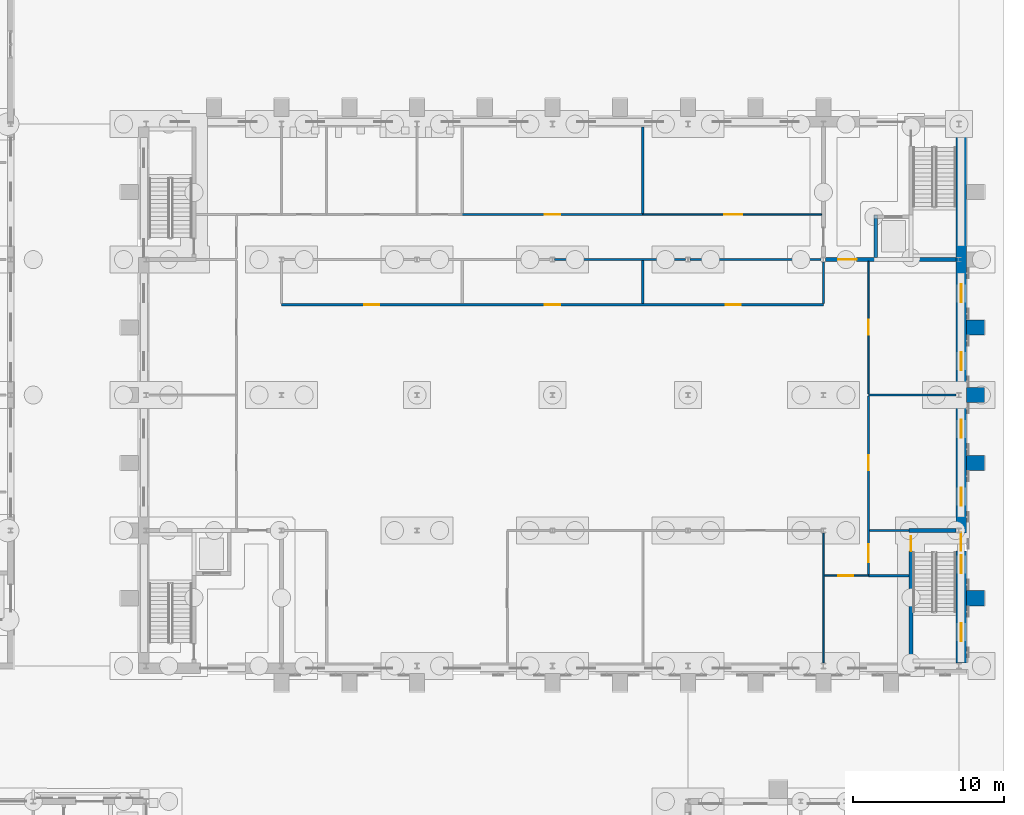
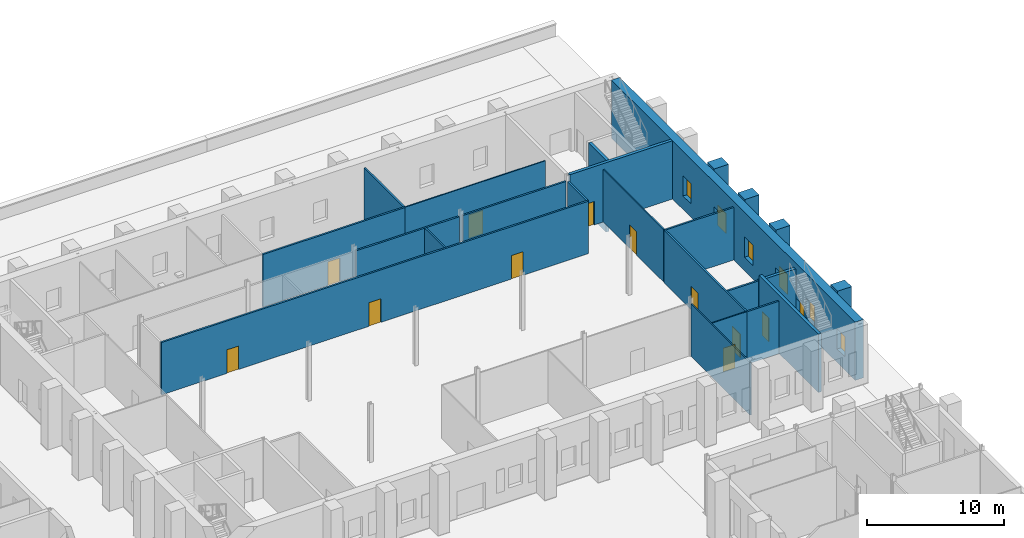
# One storey, part 106 of 168: 25 walls, 12 doors, 6 windows, 18 openings.
"""IFC4 building model written with IfcOpenShell, lengths in metres."""

from ifc_helpers import new_model, si_unit, direction, frame, frame_2d, origin, place, context, subcontext, project, spatial, rectangle, extrude, material, layer, layer_set, type_object, element, fill, save


model = new_model("IFC4")

# Units and contexts
model_context = context("Model", 3, precision=1e-05, world=origin(), true_north=direction((0.0, 1.0)))
body_context = subcontext(model_context, "Body", "Model", "MODEL_VIEW")
ifc_project = project(units=[si_unit("LENGTHUNIT", "METRE"), si_unit("AREAUNIT", "SQUARE_METRE"), si_unit("VOLUMEUNIT", "CUBIC_METRE"), si_unit("PLANEANGLEUNIT", "RADIAN"), si_unit("MASSUNIT", "GRAM", prefix="KILO")], contexts=[model_context])

# Site, building, storey
site_placement = place(None, origin())
site = spatial("IfcSite", under=ifc_project, at=site_placement, CompositionType="ELEMENT")
building_placement = place(site_placement, origin())
building = spatial("IfcBuilding", under=site, at=building_placement, Name="Golden Quay Civic Hall", CompositionType="ELEMENT")
storey_placement = place(building_placement, origin())
storey = spatial("IfcBuildingStorey", under=building, at=storey_placement, Name="L00", CompositionType="ELEMENT", Elevation=0.0)

# Wall, opening, door
ifc_material_1 = material(Name="Concrete C40/50", Category="concrete")
ifc_layer_1 = layer(ifc_material_1, 0.25)
ifc_layer_set_1 = layer_set([ifc_layer_1], Name="Concrete core wall 250, Concrete C40/50")
wall_type_1 = type_object("IfcWallType", Name="Concrete core wall 250", PredefinedType="SHEAR", material=ifc_layer_set_1)
wall_1_placement = place(storey_placement, frame((170.800048828125, 90.0, 0.0), z_axis=(0.0, 0.0, 1.0), x_axis=(-1.0, 0.0, 0.0)))
wall_1 = element("IfcWall", 1, at=wall_1_placement, inside=storey, type_object=wall_type_1, Name="L00 core wall E north boundary", PredefinedType="SHEAR", context=body_context, shape_type="SweptSolid", body=[
    extrude(rectangle(XDim=8.650146484375, YDim=0.25, at=frame_2d((4.3251953125, 0.0))), origin(), (0.0, 0.0, 1.0), 5.199951171875),
])
opening_1_placement = place(wall_1_placement, frame((6.60009765625, 0.0, 0.0)))
opening_1 = element("IfcOpeningElement", 2, at=opening_1_placement, cuts=wall_1, Name="Opening L00-D225", PredefinedType="OPENING", context=body_context, shape_type="SweptSolid", body=[
    extrude(rectangle(XDim=1.199951171875, YDim=2.10009765625, at=frame_2d((0.60009765625, 1.050048828125))), frame((0.0, 0.135009765625, 0.0), z_axis=(0.0, -1.0, 0.0), x_axis=(1.0, 0.0, 0.0)), (0.0, 0.0, 1.0), 0.27001953125),
])
ifc_material_2 = material(Name="Steel", Category="steel")
door_type_1 = type_object("IfcDoorType", Name="Steel fire door FD60 1200 x 2100", OperationType="SINGLE_SWING_LEFT", PredefinedType="DOOR", material=ifc_material_2)
door_1_placement = place(opening_1_placement, origin())
door_1 = element("IfcDoor", 3, at=door_1_placement, inside=storey, type_object=door_type_1, Name="Lobby door LB-E", OperationType="SINGLE_SWING_LEFT", OverallHeight=2.10009765625, OverallWidth=1.199951171875, PredefinedType="DOOR", context=body_context, shape_type="SweptSolid", body=[
    extrude(rectangle(XDim=1.199951171875, YDim=2.10009765625, at=frame_2d((0.60009765625, 1.050048828125))), frame((0.0, 0.02490234375, 0.0), z_axis=(0.0, -1.0, 0.0), x_axis=(1.0, 0.0, 0.0)), (0.0, 0.0, 1.0), 0.050048828125),
])
fill(opening_1, door_1)

# Walls
wall_2_placement = place(storey_placement, frame((165.47509765625, 92.72509765625, 0.0), z_axis=(0.0, 0.0, 1.0), x_axis=(0.0, -1.0, 0.0)))
element("IfcWall", 4, at=wall_2_placement, inside=storey, type_object=wall_type_1, Name="L00 core wall E lift east", PredefinedType="SHEAR", context=body_context, shape_type="SweptSolid", body=[
    extrude(rectangle(XDim=2.60009765625, YDim=0.25, at=frame_2d((1.300048828125, 0.0))), origin(), (0.0, 0.0, 1.0), 5.199951171875),
])
wall_3_placement = place(storey_placement, frame((165.47509765625, 92.97509765625, -1.199951171875), z_axis=(0.0, 0.0, 1.0), x_axis=(0.0, -1.0, 0.0)))
element("IfcWall", 5, at=wall_3_placement, inside=storey, type_object=wall_type_1, Name="L00 lift pit wall E east", PredefinedType="SHEAR", context=body_context, shape_type="SweptSolid", body=[
    extrude(rectangle(XDim=2.85009765625, YDim=0.25, at=frame_2d((1.425048828125, 0.0))), origin(), (0.0, 0.0, 1.0), 1.199951171875),
])

# Wall, opening, door
wall_4_placement = place(storey_placement, frame((167.824951171875, 71.875, 0.0), z_axis=(0.0, 0.0, 1.0), x_axis=(0.0, -1.0, 0.0)))
wall_4 = element("IfcWall", 6, at=wall_4_placement, inside=storey, type_object=wall_type_1, Name="L00 core wall S stair east", PredefinedType="SHEAR", context=body_context, shape_type="SweptSolid", body=[
    extrude(rectangle(XDim=8.675048828125, YDim=0.25, at=frame_2d((4.33740234375, 0.0))), origin(), (0.0, 0.0, 1.0), 5.199951171875),
])
opening_2_placement = place(wall_4_placement, frame((0.25, 0.0, 0.0)))
opening_2 = element("IfcOpeningElement", 7, at=opening_2_placement, cuts=wall_4, Name="Opening L00-D228", PredefinedType="OPENING", context=body_context, shape_type="SweptSolid", body=[
    extrude(rectangle(XDim=1.0, YDim=2.10009765625, at=frame_2d((0.5, 1.050048828125))), frame((0.0, 0.135009765625, 0.0), z_axis=(0.0, -1.0, 0.0), x_axis=(1.0, 0.0, 0.0)), (0.0, 0.0, 1.0), 0.27001953125),
])
ifc_material_3 = material(Name="Steel", Category="steel")
door_type_2 = type_object("IfcDoorType", Name="Steel fire door FD60 1000 x 2100", OperationType="SINGLE_SWING_LEFT", PredefinedType="DOOR", material=ifc_material_3)
door_2_placement = place(opening_2_placement, frame((1.0, 0.0, 0.0), z_axis=(0.0, 0.0, 1.0), x_axis=(-1.0, 0.0, 0.0)))
door_2 = element("IfcDoor", 8, at=door_2_placement, inside=storey, type_object=door_type_2, Name="Stair door LB-S", OperationType="SINGLE_SWING_RIGHT", OverallHeight=2.10009765625, OverallWidth=1.0, PredefinedType="DOOR", context=body_context, shape_type="SweptSolid", body=[
    extrude(rectangle(XDim=1.0, YDim=2.10009765625, at=frame_2d((0.5, 1.050048828125))), frame((0.0, 0.025146484375, 0.0), z_axis=(0.0, -1.0, 0.0), x_axis=(1.0, 0.0, 0.0)), (0.0, 0.0, 1.0), 0.050048828125),
])
fill(opening_2, door_2)

# Wall
wall_5_placement = place(storey_placement, frame((170.800048828125, 72.0, 0.0), z_axis=(0.0, 0.0, 1.0), x_axis=(-1.0, 0.0, 0.0)))
element("IfcWall", 9, at=wall_5_placement, inside=storey, type_object=wall_type_1, Name="L00 core wall S stair south", PredefinedType="SHEAR", context=body_context, shape_type="SweptSolid", body=[
    extrude(rectangle(XDim=3.10009765625, YDim=0.25, at=frame_2d((1.550048828125, 0.0))), origin(), (0.0, 0.0, 1.0), 4.699951171875),
])

# Wall, opening, door
ifc_material_4 = material(Name="Plasterboard on steel studs", Category="steel")
ifc_layer_2 = layer(ifc_material_4, 0.10009765625)
ifc_layer_set_2 = layer_set([ifc_layer_2], Name="Partition 100 stud")
wall_type_2 = type_object("IfcWallType", Name="Partition 100 stud", PredefinedType="PARTITIONING", material=ifc_layer_set_2)
wall_6_placement = place(storey_placement, frame((162.050048828125, 69.0, 0.0), z_axis=(0.0, 0.0, 1.0), x_axis=(1.0, 0.0, 0.0)))
wall_6 = element("IfcWall", 10, at=wall_6_placement, inside=storey, type_object=wall_type_2, Name="L00 partition H6-45.05", PredefinedType="PARTITIONING", context=body_context, shape_type="SweptSolid", body=[
    extrude(rectangle(XDim=2.949951171875, YDim=0.10009765625, at=frame_2d((1.47509765625, 0.0))), origin(), (0.0, 0.0, 1.0), 4.679931640625),
])
opening_3_placement = place(wall_6_placement, frame((0.949951171875, 0.0, 0.0)))
opening_3 = element("IfcOpeningElement", 11, at=opening_3_placement, cuts=wall_6, Name="Opening L00-D204", PredefinedType="OPENING", context=body_context, shape_type="SweptSolid", body=[
    extrude(rectangle(XDim=1.0, YDim=2.10009765625, at=frame_2d((0.5, 1.050048828125))), frame((0.0, 0.06005859375, 0.0), z_axis=(0.0, -1.0, 0.0), x_axis=(1.0, 0.0, 0.0)), (0.0, 0.0, 1.0), 0.1201171875),
])
ifc_material_5 = material(Name="Timber", Category="wood")
door_type_3 = type_object("IfcDoorType", Name="Timber door 1000 x 2100", OperationType="SINGLE_SWING_LEFT", PredefinedType="DOOR", material=ifc_material_5)
door_3_placement = place(opening_3_placement, frame((1.0, 0.0, 0.0), z_axis=(0.0, 0.0, 1.0), x_axis=(-1.0, 0.0, 0.0)))
door_3 = element("IfcDoor", 12, at=door_3_placement, inside=storey, type_object=door_type_3, Name="Library Office door", OperationType="SINGLE_SWING_RIGHT", OverallHeight=2.10009765625, OverallWidth=1.0, PredefinedType="DOOR", context=body_context, shape_type="SweptSolid", body=[
    extrude(rectangle(XDim=1.0, YDim=2.10009765625, at=frame_2d((0.5, 1.050048828125))), frame((0.0, 0.025146484375, 0.0), z_axis=(0.0, -1.0, 0.0), x_axis=(1.0, 0.0, 0.0)), (0.0, 0.0, 1.0), 0.050048828125),
])
fill(opening_3, door_3)

wall_7_placement = place(storey_placement, frame((150.0, 93.0, 0.0), z_axis=(0.0, 0.0, 1.0), x_axis=(1.0, 0.0, 0.0)))
wall_7 = element("IfcWall", 13, at=wall_7_placement, inside=storey, type_object=wall_type_2, Name="L00 partition H30-33.00", PredefinedType="PARTITIONING", context=body_context, shape_type="SweptSolid", body=[
    extrude(rectangle(XDim=11.875, YDim=0.10009765625, at=frame_2d((5.9375, 0.0))), origin(), (0.0, 0.0, 1.0), 4.679931640625),
])
opening_4_placement = place(wall_7_placement, frame((5.39990234375, 0.0, 0.0)))
opening_4 = element("IfcOpeningElement", 14, at=opening_4_placement, cuts=wall_7, Name="Opening L00-D219", PredefinedType="OPENING", context=body_context, shape_type="SweptSolid", body=[
    extrude(rectangle(XDim=1.199951171875, YDim=2.10009765625, at=frame_2d((0.60009765625, 1.050048828125))), frame((0.0, 0.06005859375, 0.0), z_axis=(0.0, -1.0, 0.0), x_axis=(1.0, 0.0, 0.0)), (0.0, 0.0, 1.0), 0.1201171875),
])
ifc_material_6 = material(Name="Timber", Category="wood")
door_type_4 = type_object("IfcDoorType", Name="Timber door 1200 x 2100", OperationType="SINGLE_SWING_LEFT", PredefinedType="DOOR", material=ifc_material_6)
door_4_placement = place(opening_4_placement, origin())
door_4 = element("IfcDoor", 15, at=door_4_placement, inside=storey, type_object=door_type_4, Name="Library Office door", OperationType="SINGLE_SWING_LEFT", OverallHeight=2.10009765625, OverallWidth=1.199951171875, PredefinedType="DOOR", context=body_context, shape_type="SweptSolid", body=[
    extrude(rectangle(XDim=1.199951171875, YDim=2.10009765625, at=frame_2d((0.60009765625, 1.050048828125))), frame((0.0, 0.02490234375, 0.0), z_axis=(0.0, -1.0, 0.0), x_axis=(1.0, 0.0, 0.0)), (0.0, 0.0, 1.0), 0.050048828125),
])
fill(opening_4, door_4)

# Wall
wall_8_placement = place(storey_placement, frame((162.0, 63.199951171875, 0.0), z_axis=(0.0, 0.0, 1.0), x_axis=(0.0, 1.0, 0.0)))
element("IfcWall", 16, at=wall_8_placement, inside=storey, type_object=wall_type_2, Name="L00 partition V45-0.20", PredefinedType="PARTITIONING", context=body_context, shape_type="SweptSolid", body=[
    extrude(rectangle(XDim=8.650146484375, YDim=0.10009765625, at=frame_2d((4.3251953125, 0.0))), origin(), (0.0, 0.0, 1.0), 4.679931640625),
])

# Wall, opening, door
wall_9_placement = place(storey_placement, frame((165.0, 81.074951171875, 0.0), z_axis=(0.0, 0.0, 1.0), x_axis=(0.0, 1.0, 0.0)))
wall_9 = element("IfcWall", 17, at=wall_9_placement, inside=storey, type_object=wall_type_2, Name="L00 partition V48-18.07", PredefinedType="PARTITIONING", context=body_context, shape_type="SweptSolid", body=[
    extrude(rectangle(XDim=8.800048828125, YDim=0.10009765625, at=frame_2d((4.39990234375, 0.0))), origin(), (0.0, 0.0, 1.0), 4.679931640625),
])
opening_5_placement = place(wall_9_placement, frame((3.925048828125, 0.0, 0.0)))
opening_5 = element("IfcOpeningElement", 18, at=opening_5_placement, cuts=wall_9, Name="Opening L00-D212", PredefinedType="OPENING", context=body_context, shape_type="SweptSolid", body=[
    extrude(rectangle(XDim=1.0, YDim=2.10009765625, at=frame_2d((0.5, 1.050048828125))), frame((0.0, 0.06005859375, 0.0), z_axis=(0.0, -1.0, 0.0), x_axis=(1.0, 0.0, 0.0)), (0.0, 0.0, 1.0), 0.1201171875),
])
door_5_placement = place(opening_5_placement, frame((1.0, 0.0, 0.0), z_axis=(0.0, 0.0, 1.0), x_axis=(-1.0, 0.0, 0.0)))
door_5 = element("IfcDoor", 19, at=door_5_placement, inside=storey, type_object=door_type_3, Name="Staff Room door", OperationType="SINGLE_SWING_RIGHT", OverallHeight=2.10009765625, OverallWidth=1.0, PredefinedType="DOOR", context=body_context, shape_type="SweptSolid", body=[
    extrude(rectangle(XDim=1.0, YDim=2.10009765625, at=frame_2d((0.5, 1.050048828125))), frame((0.0, 0.025146484375, 0.0), z_axis=(0.0, -1.0, 0.0), x_axis=(1.0, 0.0, 0.0)), (0.0, 0.0, 1.0), 0.050048828125),
])
fill(opening_5, door_5)

# Walls
ifc_material_7 = material(Name="Plasterboard on steel studs", Category="steel")
ifc_layer_3 = layer(ifc_material_7, 0.14990234375)
ifc_layer_set_3 = layer_set([ifc_layer_3], Name="Partition 150 stud fire EI 60")
wall_type_3 = type_object("IfcWallType", Name="Partition 150 stud fire EI 60", PredefinedType="PARTITIONING", material=ifc_layer_set_3)
wall_10_placement = place(storey_placement, frame((165.0, 69.0, 0.0), z_axis=(0.0, 0.0, 1.0), x_axis=(1.0, 0.0, 0.0)))
element("IfcWall", 20, at=wall_10_placement, inside=storey, type_object=wall_type_3, Name="L00 partition H6-48.00", PredefinedType="PARTITIONING", context=body_context, shape_type="SweptSolid", body=[
    extrude(rectangle(XDim=2.699951171875, YDim=0.14990234375, at=frame_2d((1.35009765625, 0.0))), origin(), (0.0, 0.0, 1.0), 4.679931640625),
])
wall_11_placement = place(storey_placement, frame((165.074951171875, 72.0, 0.0), z_axis=(0.0, 0.0, 1.0), x_axis=(1.0, 0.0, 0.0)))
element("IfcWall", 21, at=wall_11_placement, inside=storey, type_object=wall_type_3, Name="L00 partition H9-48.08", PredefinedType="PARTITIONING", context=body_context, shape_type="SweptSolid", body=[
    extrude(rectangle(XDim=2.625, YDim=0.14990234375, at=frame_2d((1.3125, 0.0))), origin(), (0.0, 0.0, 1.0), 4.679931640625),
])
wall_12_placement = place(storey_placement, frame((165.0, 81.0, 0.0), z_axis=(0.0, 0.0, 1.0), x_axis=(1.0, 0.0, 0.0)))
element("IfcWall", 22, at=wall_12_placement, inside=storey, type_object=wall_type_3, Name="L00 partition H18-48.00", PredefinedType="PARTITIONING", context=body_context, shape_type="SweptSolid", body=[
    extrude(rectangle(XDim=5.800048828125, YDim=0.14990234375, at=frame_2d((2.89990234375, 0.0))), origin(), (0.0, 0.0, 1.0), 4.679931640625),
])

# Wall, openings, doors
wall_13_placement = place(storey_placement, frame((126.0, 87.0, 0.0), z_axis=(0.0, 0.0, 1.0), x_axis=(1.0, 0.0, 0.0)))
wall_13 = element("IfcWall", 23, at=wall_13_placement, inside=storey, type_object=wall_type_3, Name="L00 partition H24-9.00", PredefinedType="PARTITIONING", context=body_context, shape_type="SweptSolid", body=[
    extrude(rectangle(XDim=36.0, YDim=0.14990234375, at=frame_2d((18.0, 0.0))), origin(), (0.0, 0.0, 1.0), 4.679931640625),
])
opening_6_placement = place(wall_13_placement, frame((5.5, 0.0, 0.0)))
opening_6 = element("IfcOpeningElement", 24, at=opening_6_placement, cuts=wall_13, Name="Opening L00-D206", PredefinedType="OPENING", context=body_context, shape_type="SweptSolid", body=[
    extrude(rectangle(XDim=1.0, YDim=2.10009765625, at=frame_2d((0.5, 1.050048828125))), frame((0.0, 0.0849609375, 0.0), z_axis=(0.0, -1.0, 0.0), x_axis=(1.0, 0.0, 0.0)), (0.0, 0.0, 1.0), 0.169921875),
])
opening_7_placement = place(wall_13_placement, frame((17.5, 0.0, 0.0)))
opening_7 = element("IfcOpeningElement", 25, at=opening_7_placement, cuts=wall_13, Name="Opening L00-D207", PredefinedType="OPENING", context=body_context, shape_type="SweptSolid", body=[
    extrude(rectangle(XDim=1.0, YDim=2.10009765625, at=frame_2d((0.5, 1.050048828125))), frame((0.0, 0.0849609375, 0.0), z_axis=(0.0, -1.0, 0.0), x_axis=(1.0, 0.0, 0.0)), (0.0, 0.0, 1.0), 0.169921875),
])
opening_8_placement = place(wall_13_placement, frame((29.5, 0.0, 0.0)))
opening_8 = element("IfcOpeningElement", 26, at=opening_8_placement, cuts=wall_13, Name="Opening L00-D208", PredefinedType="OPENING", context=body_context, shape_type="SweptSolid", body=[
    extrude(rectangle(XDim=1.0, YDim=2.10009765625, at=frame_2d((0.5, 1.050048828125))), frame((0.0, 0.0849609375, 0.0), z_axis=(0.0, -1.0, 0.0), x_axis=(1.0, 0.0, 0.0)), (0.0, 0.0, 1.0), 0.169921875),
])
ifc_material_8 = material(Name="Timber", Category="wood")
door_type_5 = type_object("IfcDoorType", Name="Timber fire door FD60 1000 x 2100", OperationType="SINGLE_SWING_LEFT", PredefinedType="DOOR", material=ifc_material_8)
door_6_placement = place(opening_6_placement, origin())
door_6 = element("IfcDoor", 27, at=door_6_placement, inside=storey, type_object=door_type_5, Name="Book Store door", OperationType="SINGLE_SWING_LEFT", OverallHeight=2.10009765625, OverallWidth=1.0, PredefinedType="DOOR", context=body_context, shape_type="SweptSolid", body=[
    extrude(rectangle(XDim=1.0, YDim=2.10009765625, at=frame_2d((0.5, 1.050048828125))), frame((0.0, 0.02490234375, 0.0), z_axis=(0.0, -1.0, 0.0), x_axis=(1.0, 0.0, 0.0)), (0.0, 0.0, 1.0), 0.050048828125),
])
fill(opening_6, door_6)
door_7_placement = place(opening_7_placement, origin())
door_7 = element("IfcDoor", 28, at=door_7_placement, inside=storey, type_object=door_type_5, Name="Book Store door", OperationType="SINGLE_SWING_LEFT", OverallHeight=2.10009765625, OverallWidth=1.0, PredefinedType="DOOR", context=body_context, shape_type="SweptSolid", body=[
    extrude(rectangle(XDim=1.0, YDim=2.10009765625, at=frame_2d((0.5, 1.050048828125))), frame((0.0, 0.02490234375, 0.0), z_axis=(0.0, -1.0, 0.0), x_axis=(1.0, 0.0, 0.0)), (0.0, 0.0, 1.0), 0.050048828125),
])
fill(opening_7, door_7)
door_8_placement = place(opening_8_placement, origin())
door_8 = element("IfcDoor", 29, at=door_8_placement, inside=storey, type_object=door_type_5, Name="Book Store door", OperationType="SINGLE_SWING_LEFT", OverallHeight=2.10009765625, OverallWidth=1.0, PredefinedType="DOOR", context=body_context, shape_type="SweptSolid", body=[
    extrude(rectangle(XDim=1.0, YDim=2.10009765625, at=frame_2d((0.5, 1.050048828125))), frame((0.0, 0.02490234375, 0.0), z_axis=(0.0, -1.0, 0.0), x_axis=(1.0, 0.0, 0.0)), (0.0, 0.0, 1.0), 0.050048828125),
])
fill(opening_8, door_8)

# Walls
for number, where, z_axis, x_axis, name in (
    (30, (144.14990234375, 90.0, 0.0), (0.0, 0.0, 1.0), (1.0, 0.0, 0.0), "L00 partition H27-27.15"),
    (31, (153.14990234375, 90.0, 0.0), (0.0, 0.0, 1.0), (1.0, 0.0, 0.0), "L00 partition H27-36.15"),
):
    element("IfcWall", number, at=place(storey_placement, frame(where, z_axis=z_axis, x_axis=x_axis)), inside=storey, type_object=wall_type_3, Name=name, PredefinedType="PARTITIONING", context=body_context, shape_type="SweptSolid", body=[
        extrude(rectangle(XDim=8.7001953125, YDim=0.14990234375, at=frame_2d((4.35009765625, 0.0))), origin(), (0.0, 0.0, 1.0), 4.679931640625),
    ])

# Wall, opening, door
wall_14_placement = place(storey_placement, frame((138.0, 93.0, 0.0), z_axis=(0.0, 0.0, 1.0), x_axis=(1.0, 0.0, 0.0)))
wall_14 = element("IfcWall", 32, at=wall_14_placement, inside=storey, type_object=wall_type_3, Name="L00 partition H30-21.00", PredefinedType="PARTITIONING", context=body_context, shape_type="SweptSolid", body=[
    extrude(rectangle(XDim=12.0, YDim=0.14990234375, at=frame_2d((6.0, 0.0))), origin(), (0.0, 0.0, 1.0), 4.679931640625),
])
opening_9_placement = place(wall_14_placement, frame((5.5, 0.0, 0.0)))
opening_9 = element("IfcOpeningElement", 33, at=opening_9_placement, cuts=wall_14, Name="Opening L00-D218", PredefinedType="OPENING", context=body_context, shape_type="SweptSolid", body=[
    extrude(rectangle(XDim=1.0, YDim=2.10009765625, at=frame_2d((0.5, 1.050048828125))), frame((0.0, 0.0849609375, 0.0), z_axis=(0.0, -1.0, 0.0), x_axis=(1.0, 0.0, 0.0)), (0.0, 0.0, 1.0), 0.169921875),
])
door_9_placement = place(opening_9_placement, origin())
door_9 = element("IfcDoor", 34, at=door_9_placement, inside=storey, type_object=door_type_5, Name="Plant Room door", OperationType="SINGLE_SWING_LEFT", OverallHeight=2.10009765625, OverallWidth=1.0, PredefinedType="DOOR", context=body_context, shape_type="SweptSolid", body=[
    extrude(rectangle(XDim=1.0, YDim=2.10009765625, at=frame_2d((0.5, 1.050048828125))), frame((0.0, 0.02490234375, 0.0), z_axis=(0.0, -1.0, 0.0), x_axis=(1.0, 0.0, 0.0)), (0.0, 0.0, 1.0), 0.050048828125),
])
fill(opening_9, door_9)

# Walls
wall_15_placement = place(storey_placement, frame((150.0, 87.074951171875, 0.0), z_axis=(0.0, 0.0, 1.0), x_axis=(0.0, 1.0, 0.0)))
element("IfcWall", 35, at=wall_15_placement, inside=storey, type_object=wall_type_3, Name="L00 partition V33-24.07", PredefinedType="PARTITIONING", context=body_context, shape_type="SweptSolid", body=[
    extrude(rectangle(XDim=2.85009765625, YDim=0.14990234375, at=frame_2d((1.425048828125, 0.0))), origin(), (0.0, 0.0, 1.0), 4.679931640625),
])
wall_16_placement = place(storey_placement, frame((150.0, 93.074951171875, 0.0), z_axis=(0.0, 0.0, 1.0), x_axis=(0.0, 1.0, 0.0)))
element("IfcWall", 36, at=wall_16_placement, inside=storey, type_object=wall_type_3, Name="L00 partition V33-30.07", PredefinedType="PARTITIONING", context=body_context, shape_type="SweptSolid", body=[
    extrude(rectangle(XDim=5.72509765625, YDim=0.14990234375, at=frame_2d((2.862548828125, 0.0))), origin(), (0.0, 0.0, 1.0), 4.679931640625),
])
wall_17_placement = place(storey_placement, frame((162.0, 87.074951171875, 0.0), z_axis=(0.0, 0.0, 1.0), x_axis=(0.0, 1.0, 0.0)))
element("IfcWall", 37, at=wall_17_placement, inside=storey, type_object=wall_type_3, Name="L00 partition V45-24.07", PredefinedType="PARTITIONING", context=body_context, shape_type="SweptSolid", body=[
    extrude(rectangle(XDim=2.775146484375, YDim=0.14990234375, at=frame_2d((1.3876953125, 0.0))), origin(), (0.0, 0.0, 1.0), 4.679931640625),
])

# Wall, openings, doors
wall_18_placement = place(storey_placement, frame((165.0, 69.074951171875, 0.0), z_axis=(0.0, 0.0, 1.0), x_axis=(0.0, 1.0, 0.0)))
wall_18 = element("IfcWall", 38, at=wall_18_placement, inside=storey, type_object=wall_type_3, Name="L00 partition V48-6.08", PredefinedType="PARTITIONING", context=body_context, shape_type="SweptSolid", body=[
    extrude(rectangle(XDim=11.85009765625, YDim=0.14990234375, at=frame_2d((5.925048828125, 0.0))), origin(), (0.0, 0.0, 1.0), 4.679931640625),
])
opening_10_placement = place(wall_18_placement, frame((0.824951171875, 0.0, 0.0)))
opening_10 = element("IfcOpeningElement", 39, at=opening_10_placement, cuts=wall_18, Name="Opening L00-D205", PredefinedType="OPENING", context=body_context, shape_type="SweptSolid", body=[
    extrude(rectangle(XDim=1.199951171875, YDim=2.10009765625, at=frame_2d((0.60009765625, 1.050048828125))), frame((0.0, 0.0849609375, 0.0), z_axis=(0.0, -1.0, 0.0), x_axis=(1.0, 0.0, 0.0)), (0.0, 0.0, 1.0), 0.169921875),
])
opening_11_placement = place(wall_18_placement, frame((6.925048828125, 0.0, 0.0)))
opening_11 = element("IfcOpeningElement", 40, at=opening_11_placement, cuts=wall_18, Name="Opening L00-D211", PredefinedType="OPENING", context=body_context, shape_type="SweptSolid", body=[
    extrude(rectangle(XDim=1.0, YDim=2.10009765625, at=frame_2d((0.5, 1.050048828125))), frame((0.0, 0.0849609375, 0.0), z_axis=(0.0, -1.0, 0.0), x_axis=(1.0, 0.0, 0.0)), (0.0, 0.0, 1.0), 0.169921875),
])
door_10_placement = place(opening_11_placement, frame((1.0, 0.0, 0.0), z_axis=(0.0, 0.0, 1.0), x_axis=(-1.0, 0.0, 0.0)))
door_10 = element("IfcDoor", 41, at=door_10_placement, inside=storey, type_object=door_type_5, Name="Plant Room door", OperationType="SINGLE_SWING_RIGHT", OverallHeight=2.10009765625, OverallWidth=1.0, PredefinedType="DOOR", context=body_context, shape_type="SweptSolid", body=[
    extrude(rectangle(XDim=1.0, YDim=2.10009765625, at=frame_2d((0.5, 1.050048828125))), frame((0.0, 0.025146484375, 0.0), z_axis=(0.0, -1.0, 0.0), x_axis=(1.0, 0.0, 0.0)), (0.0, 0.0, 1.0), 0.050048828125),
])
fill(opening_11, door_10)
ifc_material_9 = material(Name="Timber", Category="wood")
door_type_6 = type_object("IfcDoorType", Name="Timber fire door FD60 1200 x 2100", OperationType="SINGLE_SWING_LEFT", PredefinedType="DOOR", material=ifc_material_9)
door_11_placement = place(opening_10_placement, frame((1.199951171875, 0.0, 0.0), z_axis=(0.0, 0.0, 1.0), x_axis=(-1.0, 0.0, 0.0)))
door_11 = element("IfcDoor", 42, at=door_11_placement, inside=storey, type_object=door_type_6, Name="Stair Lobby door", OperationType="SINGLE_SWING_RIGHT", OverallHeight=2.10009765625, OverallWidth=1.199951171875, PredefinedType="DOOR", context=body_context, shape_type="SweptSolid", body=[
    extrude(rectangle(XDim=1.199951171875, YDim=2.10009765625, at=frame_2d((0.599853515625, 1.050048828125))), frame((0.0, 0.025146484375, 0.0), z_axis=(0.0, -1.0, 0.0), x_axis=(1.0, 0.0, 0.0)), (0.0, 0.0, 1.0), 0.050048828125),
])
fill(opening_10, door_11)

# Walls
ifc_material_10 = material(Name="Limestone, rusticated facing", Category="masonry")
ifc_layer_4 = layer(ifc_material_10, 1.199951171875)
ifc_layer_set_4 = layer_set([ifc_layer_4], Name="Stone base pier 1000 x 1200")
wall_type_4 = type_object("IfcWallType", Name="Stone base pier 1000 x 1200", PredefinedType="STANDARD", material=ifc_layer_set_4)
for number, where, z_axis, x_axis, name in (
    (43, (172.10009765625, 67.0, 0.0), (0.0, 0.0, 1.0), (0.0, 1.0, 0.0), "Stone base pier 1000 x 1200 L00 26"),
    (44, (172.10009765625, 76.0, 0.0), (0.0, 0.0, 1.0), (0.0, 1.0, 0.0), "Stone base pier 1000 x 1200 L00 27"),
    (45, (172.10009765625, 80.5, 0.0), (0.0, 0.0, 1.0), (0.0, 1.0, 0.0), "Stone base pier 1000 x 1200 L00 28"),
    (46, (172.10009765625, 85.0, 0.0), (0.0, 0.0, 1.0), (0.0, 1.0, 0.0), "Stone base pier 1000 x 1200 L00 29"),
):
    element("IfcWall", number, at=place(storey_placement, frame(where, z_axis=z_axis, x_axis=x_axis)), inside=storey, type_object=wall_type_4, Name=name, PredefinedType="STANDARD", context=body_context, shape_type="SweptSolid", body=[
        extrude(rectangle(XDim=1.0, YDim=1.199951171875, at=frame_2d((0.5, 0.0))), origin(), (0.0, 0.0, 1.0), 5.39990234375),
    ])

# Wall, openings, door, windows
ifc_material_11 = material(Name="Limestone, rusticated facing", Category="masonry")
ifc_layer_5 = layer(ifc_material_11, 0.699951171875)
ifc_layer_set_5 = layer_set([ifc_layer_5], Name="Stone external wall 700")
wall_type_5 = type_object("IfcWallType", Name="Stone external wall 700", PredefinedType="STANDARD", material=ifc_layer_set_5)
wall_19_placement = place(storey_placement, frame((171.14990234375, 63.199951171875, 0.0), z_axis=(0.0, 0.0, 1.0), x_axis=(0.0, 1.0, 0.0)))
wall_19 = element("IfcWall", 47, at=wall_19_placement, inside=storey, type_object=wall_type_5, Name="L00 external wall E", PredefinedType="STANDARD", context=body_context, shape_type="SweptSolid", body=[
    extrude(rectangle(XDim=35.60009765625, YDim=0.699951171875, at=frame_2d((17.800048828125, 0.0))), origin(), (0.0, 0.0, 1.0), 5.199951171875),
])
opening_12_placement = place(wall_19_placement, frame((1.449951171875, 0.0, 1.199951171875)))
opening_12 = element("IfcOpeningElement", 48, at=opening_12_placement, cuts=wall_19, Name="Opening WN18", PredefinedType="OPENING", context=body_context, shape_type="SweptSolid", body=[
    extrude(rectangle(XDim=1.199951171875, YDim=1.800048828125, at=frame_2d((0.60009765625, 0.89990234375))), frame((0.0, 0.35986328125, 0.0), z_axis=(0.0, -1.0, 0.0), x_axis=(1.0, 0.0, 0.0)), (0.0, 0.0, 1.0), 0.719970703125),
])
opening_13_placement = place(wall_19_placement, frame((5.949951171875, 0.0, 1.199951171875)))
opening_13 = element("IfcOpeningElement", 49, at=opening_13_placement, cuts=wall_19, Name="Opening WN18", PredefinedType="OPENING", context=body_context, shape_type="SweptSolid", body=[
    extrude(rectangle(XDim=1.199951171875, YDim=1.800048828125, at=frame_2d((0.60009765625, 0.89990234375))), frame((0.0, 0.35986328125, 0.0), z_axis=(0.0, -1.0, 0.0), x_axis=(1.0, 0.0, 0.0)), (0.0, 0.0, 1.0), 0.719970703125),
])
opening_14_placement = place(wall_19_placement, frame((10.449951171875, 0.0, 1.199951171875)))
opening_14 = element("IfcOpeningElement", 50, at=opening_14_placement, cuts=wall_19, Name="Opening WN18", PredefinedType="OPENING", context=body_context, shape_type="SweptSolid", body=[
    extrude(rectangle(XDim=1.199951171875, YDim=1.800048828125, at=frame_2d((0.60009765625, 0.89990234375))), frame((0.0, 0.35986328125, 0.0), z_axis=(0.0, -1.0, 0.0), x_axis=(1.0, 0.0, 0.0)), (0.0, 0.0, 1.0), 0.719970703125),
])
opening_15_placement = place(wall_19_placement, frame((14.949951171875, 0.0, 1.199951171875)))
opening_15 = element("IfcOpeningElement", 51, at=opening_15_placement, cuts=wall_19, Name="Opening WN18", PredefinedType="OPENING", context=body_context, shape_type="SweptSolid", body=[
    extrude(rectangle(XDim=1.199951171875, YDim=1.800048828125, at=frame_2d((0.60009765625, 0.89990234375))), frame((0.0, 0.35986328125, 0.0), z_axis=(0.0, -1.0, 0.0), x_axis=(1.0, 0.0, 0.0)), (0.0, 0.0, 1.0), 0.719970703125),
])
opening_16_placement = place(wall_19_placement, frame((19.449951171875, 0.0, 1.199951171875)))
opening_16 = element("IfcOpeningElement", 52, at=opening_16_placement, cuts=wall_19, Name="Opening WN18", PredefinedType="OPENING", context=body_context, shape_type="SweptSolid", body=[
    extrude(rectangle(XDim=1.199951171875, YDim=1.800048828125, at=frame_2d((0.60009765625, 0.89990234375))), frame((0.0, 0.35986328125, 0.0), z_axis=(0.0, -1.0, 0.0), x_axis=(1.0, 0.0, 0.0)), (0.0, 0.0, 1.0), 0.719970703125),
])
opening_17_placement = place(wall_19_placement, frame((23.949951171875, 0.0, 1.199951171875)))
opening_17 = element("IfcOpeningElement", 53, at=opening_17_placement, cuts=wall_19, Name="Opening WN18", PredefinedType="OPENING", context=body_context, shape_type="SweptSolid", body=[
    extrude(rectangle(XDim=1.199951171875, YDim=1.800048828125, at=frame_2d((0.60009765625, 0.89990234375))), frame((0.0, 0.35986328125, 0.0), z_axis=(0.0, -1.0, 0.0), x_axis=(1.0, 0.0, 0.0)), (0.0, 0.0, 1.0), 0.719970703125),
])
opening_18_placement = place(wall_19_placement, frame((7.449951171875, 0.0, 0.0)))
opening_18 = element("IfcOpeningElement", 54, at=opening_18_placement, cuts=wall_19, Name="Opening L00-D047", PredefinedType="OPENING", context=body_context, shape_type="SweptSolid", body=[
    extrude(rectangle(XDim=1.199951171875, YDim=2.10009765625, at=frame_2d((0.60009765625, 1.050048828125))), frame((0.0, 0.35986328125, 0.0), z_axis=(0.0, -1.0, 0.0), x_axis=(1.0, 0.0, 0.0)), (0.0, 0.0, 1.0), 0.719970703125),
])
ifc_material_12 = material(Name="Steel", Category="steel")
door_type_7 = type_object("IfcDoorType", Name="Steel exit door FD60 1200 x 2100", OperationType="SINGLE_SWING_LEFT", PredefinedType="DOOR", material=ifc_material_12)
door_12_placement = place(opening_18_placement, frame((1.199951171875, 0.0, 0.0), z_axis=(0.0, 0.0, 1.0), x_axis=(-1.0, 0.0, 0.0)))
door_12 = element("IfcDoor", 55, at=door_12_placement, inside=storey, type_object=door_type_7, Name="Stair exit LB-S", OperationType="SINGLE_SWING_RIGHT", OverallHeight=2.10009765625, OverallWidth=1.199951171875, PredefinedType="DOOR", context=body_context, shape_type="SweptSolid", body=[
    extrude(rectangle(XDim=1.199951171875, YDim=2.10009765625, at=frame_2d((0.599853515625, 1.050048828125))), frame((0.0, 0.025146484375, 0.0), z_axis=(0.0, -1.0, 0.0), x_axis=(1.0, 0.0, 0.0)), (0.0, 0.0, 1.0), 0.050048828125),
])
fill(opening_18, door_12)
ifc_material_13 = material(Name="Timber", Category="wood")
window_type = type_object("IfcWindowType", Name="Stone-framed timber window 1200 x 1800", PartitioningType="SINGLE_PANEL", PredefinedType="WINDOW", material=ifc_material_13)
window_1_placement = place(opening_12_placement, origin())
window_1 = element("IfcWindow", 56, at=window_1_placement, inside=storey, type_object=window_type, Name="L00 window E22", OverallHeight=1.800048828125, OverallWidth=1.199951171875, PartitioningType="SINGLE_PANEL", PredefinedType="WINDOW", context=body_context, shape_type="SweptSolid", body=[
    extrude(rectangle(XDim=1.199951171875, YDim=1.800048828125, at=frame_2d((0.60009765625, 0.89990234375))), frame((0.0, 0.030029296875, 0.0), z_axis=(0.0, -1.0, 0.0), x_axis=(1.0, 0.0, 0.0)), (0.0, 0.0, 1.0), 0.06005859375),
])
fill(opening_12, window_1)
window_2_placement = place(opening_13_placement, origin())
window_2 = element("IfcWindow", 57, at=window_2_placement, inside=storey, type_object=window_type, Name="L00 window E67", OverallHeight=1.800048828125, OverallWidth=1.199951171875, PartitioningType="SINGLE_PANEL", PredefinedType="WINDOW", context=body_context, shape_type="SweptSolid", body=[
    extrude(rectangle(XDim=1.199951171875, YDim=1.800048828125, at=frame_2d((0.60009765625, 0.89990234375))), frame((0.0, 0.030029296875, 0.0), z_axis=(0.0, -1.0, 0.0), x_axis=(1.0, 0.0, 0.0)), (0.0, 0.0, 1.0), 0.06005859375),
])
fill(opening_13, window_2)
window_3_placement = place(opening_14_placement, origin())
window_3 = element("IfcWindow", 58, at=window_3_placement, inside=storey, type_object=window_type, Name="L00 window E112", OverallHeight=1.800048828125, OverallWidth=1.199951171875, PartitioningType="SINGLE_PANEL", PredefinedType="WINDOW", context=body_context, shape_type="SweptSolid", body=[
    extrude(rectangle(XDim=1.199951171875, YDim=1.800048828125, at=frame_2d((0.60009765625, 0.89990234375))), frame((0.0, 0.030029296875, 0.0), z_axis=(0.0, -1.0, 0.0), x_axis=(1.0, 0.0, 0.0)), (0.0, 0.0, 1.0), 0.06005859375),
])
fill(opening_14, window_3)
window_4_placement = place(opening_15_placement, origin())
window_4 = element("IfcWindow", 59, at=window_4_placement, inside=storey, type_object=window_type, Name="L00 window E157", OverallHeight=1.800048828125, OverallWidth=1.199951171875, PartitioningType="SINGLE_PANEL", PredefinedType="WINDOW", context=body_context, shape_type="SweptSolid", body=[
    extrude(rectangle(XDim=1.199951171875, YDim=1.800048828125, at=frame_2d((0.60009765625, 0.89990234375))), frame((0.0, 0.030029296875, 0.0), z_axis=(0.0, -1.0, 0.0), x_axis=(1.0, 0.0, 0.0)), (0.0, 0.0, 1.0), 0.06005859375),
])
fill(opening_15, window_4)
window_5_placement = place(opening_16_placement, origin())
window_5 = element("IfcWindow", 60, at=window_5_placement, inside=storey, type_object=window_type, Name="L00 window E202", OverallHeight=1.800048828125, OverallWidth=1.199951171875, PartitioningType="SINGLE_PANEL", PredefinedType="WINDOW", context=body_context, shape_type="SweptSolid", body=[
    extrude(rectangle(XDim=1.199951171875, YDim=1.800048828125, at=frame_2d((0.60009765625, 0.89990234375))), frame((0.0, 0.030029296875, 0.0), z_axis=(0.0, -1.0, 0.0), x_axis=(1.0, 0.0, 0.0)), (0.0, 0.0, 1.0), 0.06005859375),
])
fill(opening_16, window_5)
window_6_placement = place(opening_17_placement, origin())
window_6 = element("IfcWindow", 61, at=window_6_placement, inside=storey, type_object=window_type, Name="L00 window E247", OverallHeight=1.800048828125, OverallWidth=1.199951171875, PartitioningType="SINGLE_PANEL", PredefinedType="WINDOW", context=body_context, shape_type="SweptSolid", body=[
    extrude(rectangle(XDim=1.199951171875, YDim=1.800048828125, at=frame_2d((0.60009765625, 0.89990234375))), frame((0.0, 0.030029296875, 0.0), z_axis=(0.0, -1.0, 0.0), x_axis=(1.0, 0.0, 0.0)), (0.0, 0.0, 1.0), 0.06005859375),
])
fill(opening_17, window_6)

save(model, "model.ifc")
